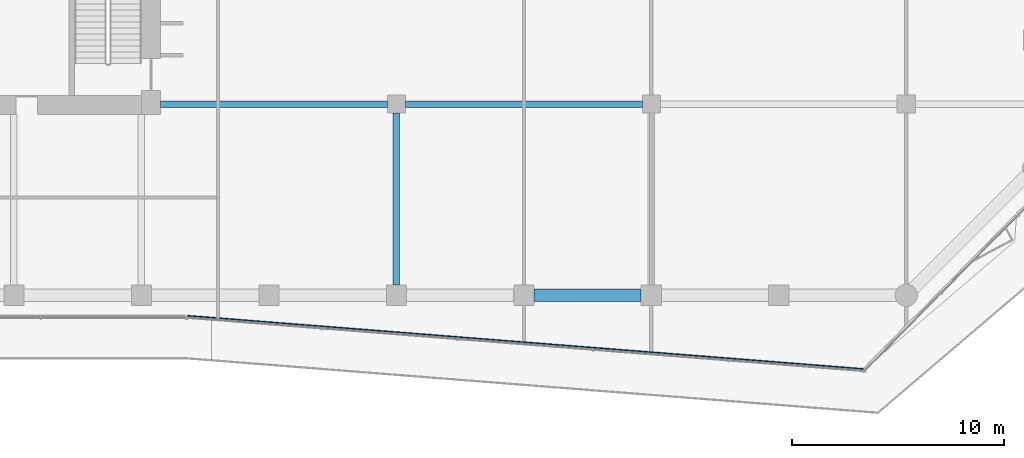
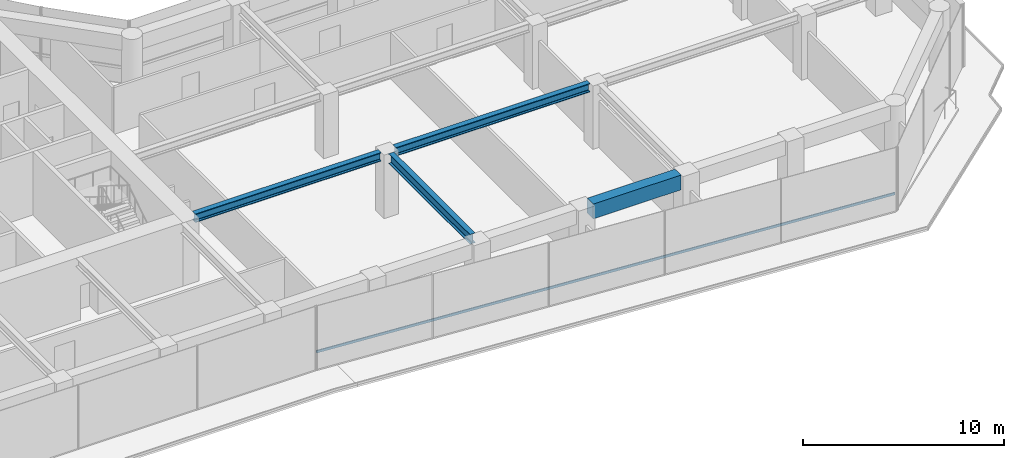
# One storey, part 7 of 29: 4 beams, 1 member, 1 element without a shape of its own.
"""IFC4 building model written with IfcOpenShell, lengths in metres."""

from ifc_helpers import new_model, si_unit, direction, frame, origin, origin_2d, place, context, subcontext, project, spatial, rectangle, i_section, extrude, material, layer, layer_set, material_profile, profile_set, type_object, element, aggregate, save


model = new_model("IFC4")

# Units and contexts
model_context = context("Model", 3, precision=1e-05, world=origin(), true_north=direction((0.0, 1.0)))
body_context = subcontext(model_context, "Body", "Model", "MODEL_VIEW")
ifc_project = project(units=[si_unit("LENGTHUNIT", "METRE"), si_unit("AREAUNIT", "SQUARE_METRE"), si_unit("VOLUMEUNIT", "CUBIC_METRE"), si_unit("PLANEANGLEUNIT", "RADIAN"), si_unit("MASSUNIT", "GRAM", prefix="KILO")], contexts=[model_context])

# Site, building, storey
site_placement = place(None, origin())
site = spatial("IfcSite", under=ifc_project, at=site_placement, CompositionType="ELEMENT")
building_placement = place(site_placement, origin())
building = spatial("IfcBuilding", under=site, at=building_placement, Name="Welwitschia Terrace Campus", CompositionType="ELEMENT")
storey_placement = place(building_placement, frame((0.0, 0.0, 33.199951171875)))
storey = spatial("IfcBuildingStorey", under=building, at=storey_placement, Name="L07", CompositionType="ELEMENT", Elevation=33.199951171875)

# Beams
ifc_material_1 = material(Name="Steel S355", Category="steel")
ifc_material_profile_1 = material_profile(ifc_material_1, i_section(OverallWidth=0.305908203125, OverallDepth=0.52392578125, WebThickness=0.02099609375, FlangeThickness=0.0400390625, FilletRadius=0.027099609375, at=origin_2d()))
ifc_profile_set_1 = profile_set([ifc_material_profile_1], Name="Steel S355")
beam_type_1 = type_object("IfcBeamType", Name="Interior girder HE 500 M", PredefinedType="BEAM", material=ifc_profile_set_1)
beam_1_placement = place(storey_placement, frame((24.90087890625, 5.0, 3.588134765625), z_axis=(1.0, 0.0, 0.0), x_axis=(0.0, 1.0, 0.0)))
element("IfcBeam", 1, at=beam_1_placement, inside=storey, type_object=beam_type_1, Name="Girder GB2", PredefinedType="BEAM", context=body_context, shape_type="SweptSolid", body=[
    extrude(i_section(OverallWidth=0.305908203125, OverallDepth=0.52392578125, WebThickness=0.02099609375, FlangeThickness=0.0400390625, FilletRadius=0.027099609375, at=origin_2d()), origin(), (0.0, 0.0, 1.0), 10.673583984375),
])
beam_2_placement = place(storey_placement, frame((36.425537109375, 5.0, 3.588134765625), z_axis=(1.0, 0.0, 0.0), x_axis=(0.0, 1.0, 0.0)))
element("IfcBeam", 2, at=beam_2_placement, inside=storey, type_object=beam_type_1, Name="Girder GB2", PredefinedType="BEAM", context=body_context, shape_type="SweptSolid", body=[
    extrude(i_section(OverallWidth=0.305908203125, OverallDepth=0.52392578125, WebThickness=0.02099609375, FlangeThickness=0.0400390625, FilletRadius=0.027099609375, at=origin_2d()), origin(), (0.0, 0.0, 1.0), 11.14892578125),
])
ifc_material_2 = material(Name="Steel S355", Category="steel")
ifc_material_profile_2 = material_profile(ifc_material_2, i_section(OverallWidth=0.300048828125, OverallDepth=0.60009765625, WebThickness=0.015380859375, FlangeThickness=0.030029296875, FilletRadius=0.027099609375, at=origin_2d()))
ifc_profile_set_2 = profile_set([ifc_material_profile_2], Name="Steel S355")
beam_type_2 = type_object("IfcBeamType", Name="Primary beam HE 600 B", PredefinedType="BEAM", material=ifc_profile_set_2)
beam_3_placement = place(storey_placement, frame((36.0, -3.5244140625, 3.550048828125), z_axis=(0.0, 1.0, 0.0), x_axis=(-1.0, 0.0, 0.0)))
element("IfcBeam", 3, at=beam_3_placement, inside=storey, type_object=beam_type_2, Name="Primary beam PB2", PredefinedType="BEAM", context=body_context, shape_type="SweptSolid", body=[
    extrude(i_section(OverallWidth=0.300048828125, OverallDepth=0.60009765625, WebThickness=0.015380859375, FlangeThickness=0.030029296875, FilletRadius=0.027099609375, at=origin_2d()), origin(), (0.0, 0.0, 1.0), 8.098876953125),
])
ifc_material_3 = material(Name="Concrete C60/75", Category="concrete")
ifc_material_profile_3 = material_profile(ifc_material_3, rectangle(XDim=0.60009765625, YDim=0.89990234375, at=origin_2d()))
ifc_profile_set_3 = profile_set([ifc_material_profile_3], Name="Concrete C60/75")
beam_type_3 = type_object("IfcBeamType", Name="Ring spandrel 600x900", PredefinedType="SPANDREL", material=ifc_profile_set_3)
beam_4_placement = place(storey_placement, frame((42.4755859375, -4.0, 3.400146484375), z_axis=(1.0, 0.0, 0.0), x_axis=(0.0, 1.0, 0.0)))
element("IfcBeam", 4, at=beam_4_placement, inside=storey, type_object=beam_type_3, Name="Spandrel SP2", PredefinedType="SPANDREL", context=body_context, shape_type="SweptSolid", body=[
    extrude(rectangle(XDim=0.60009765625, YDim=0.89990234375, at=origin_2d()), origin(), (0.0, 0.0, 1.0), 5.048828125),
])

# Curtain wall, member
ifc_material_4 = material(Name="Bronze anodised aluminium", Category="aluminium")
ifc_layer = layer(ifc_material_4, 0.1201171875)
ifc_layer_set = layer_set([ifc_layer], Name="Bronze anodised aluminium")
curtain_wall_type = type_object("IfcCurtainWallType", Name="Curtain wall CW2 tower 6000", PredefinedType="NOTDEFINED", material=ifc_layer_set)
curtain_wall_placement = place(storey_placement, origin())
curtain_wall = element("IfcCurtainWall", 5, at=curtain_wall_placement, inside=storey, type_object=curtain_wall_type, Name="CW L07.6.0", PredefinedType="NOTDEFINED")
ifc_material_5 = material(Name="Bronze anodised aluminium", Category="aluminium")
ifc_material_profile_4 = material_profile(ifc_material_5, rectangle(XDim=0.06005859375, YDim=0.14990234375, at=origin_2d()))
ifc_profile_set_4 = profile_set([ifc_material_profile_4], Name="Bronze anodised aluminium")
member_type = type_object("IfcMemberType", Name="Transom 60x150", PredefinedType="USERDEFINED", material=ifc_profile_set_4)
member_placement = place(storey_placement, frame((26.182373046875, -4.972900390625, 1.0), z_axis=(0.996917130903, -0.07846167289, 0.0), x_axis=(0.07846167289, 0.996917130903, 0.0)))
member = element("IfcMember", 6, at=member_placement, type_object=member_type, Name="Transom L07.6.0", ObjectType="TRANSOM", PredefinedType="USERDEFINED", context=body_context, shape_type="SweptSolid", body=[
    extrude(rectangle(XDim=0.06005859375, YDim=0.14990234375, at=origin_2d()), origin(), (0.0, 0.0, 1.0), 31.89697265625),
])
aggregate(curtain_wall, [member])

save(model, "model.ifc")
